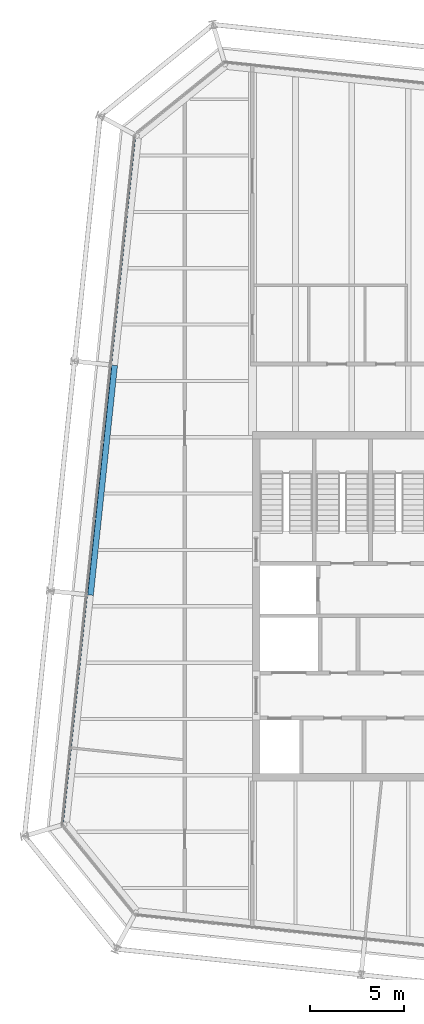
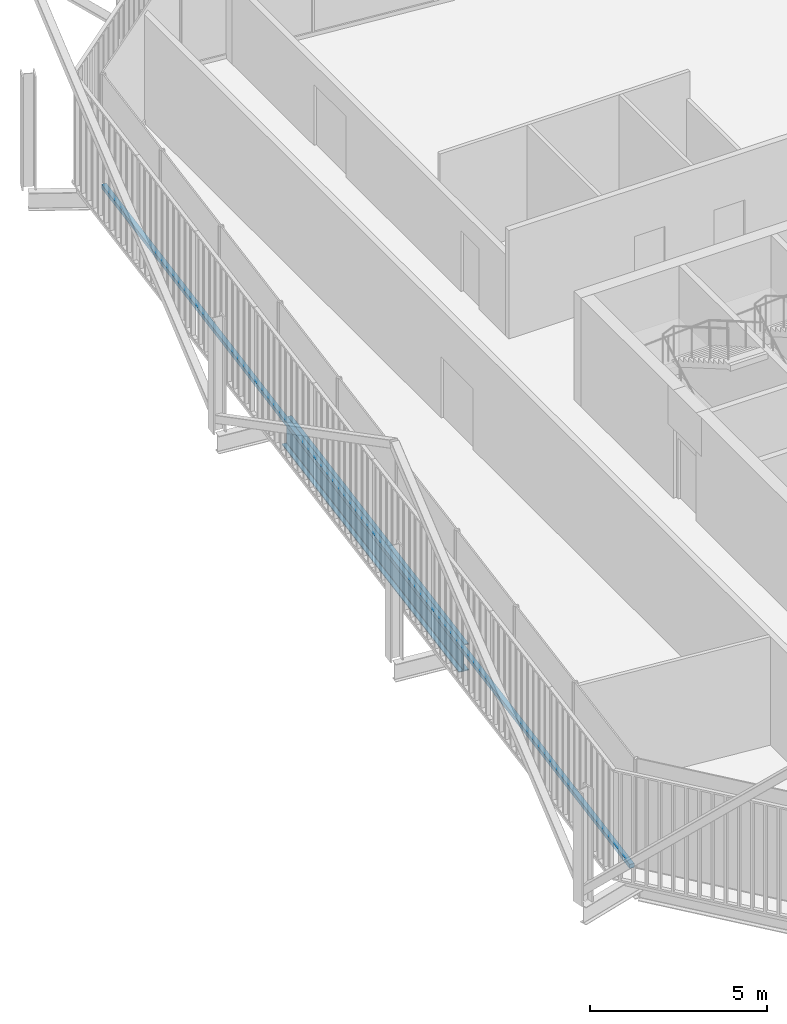
# One storey, part 7 of 21: 1 beam, 1 member, 1 element without a shape of its own.
"""IFC4 building model written with IfcOpenShell, lengths in metres."""

from ifc_helpers import new_model, si_unit, direction, frame, origin, origin_2d, place, context, subcontext, project, spatial, rectangle, i_section, extrude, material, layer, layer_set, material_profile, profile_set, type_object, element, aggregate, save


model = new_model("IFC4")

# Units and contexts
model_context = context("Model", 3, precision=1e-05, world=origin(), true_north=direction((0.0, 1.0)))
body_context = subcontext(model_context, "Body", "Model", "MODEL_VIEW")
ifc_project = project(units=[si_unit("LENGTHUNIT", "METRE"), si_unit("AREAUNIT", "SQUARE_METRE"), si_unit("VOLUMEUNIT", "CUBIC_METRE"), si_unit("PLANEANGLEUNIT", "RADIAN"), si_unit("MASSUNIT", "GRAM", prefix="KILO")], contexts=[model_context])

# Site, building, storey
site_placement = place(None, origin())
site = spatial("IfcSite", under=ifc_project, at=site_placement, CompositionType="ELEMENT")
building_placement = place(site_placement, origin())
building = spatial("IfcBuilding", under=site, at=building_placement, Name="Millrace Tower", CompositionType="ELEMENT")
storey_placement = place(building_placement, frame((0.0, 0.0, 291.60009765625)))
storey = spatial("IfcBuildingStorey", under=building, at=storey_placement, Name="L67", CompositionType="ELEMENT", Elevation=291.60009765625)

# Curtain wall, member
ifc_material_1 = material(Name="Aluminium and glass", Category="aluminium")
ifc_layer = layer(ifc_material_1, 0.14990234375)
ifc_layer_set = layer_set([ifc_layer], Name="Aluminium and glass")
curtain_wall_type = type_object("IfcCurtainWallType", Name="CW-1 office vision curtain wall", PredefinedType="NOTDEFINED", material=ifc_layer_set)
curtain_wall_placement = place(storey_placement, origin())
curtain_wall = element("IfcCurtainWall", 1, at=curtain_wall_placement, inside=storey, type_object=curtain_wall_type, Name="Curtain wall E-F08 L67", PredefinedType="NOTDEFINED")
ifc_material_2 = material(Name="Aluminium", Category="aluminium")
ifc_material_profile_1 = material_profile(ifc_material_2, rectangle(XDim=0.14990234375, YDim=0.139892578125, at=origin_2d()))
ifc_profile_set_1 = profile_set([ifc_material_profile_1], Name="Aluminium")
member_type = type_object("IfcMemberType", Name="CW-1 office vision curtain wall transom", PredefinedType="USERDEFINED", material=ifc_profile_set_1)
member_placement = place(storey_placement, frame((-20.581787109375, 24.9853515625, 0.06982421875), z_axis=(-0.104527916025, -0.994521952886, 0.0), x_axis=(0.994521952886, -0.104527916025, 0.0)))
member = element("IfcMember", 2, at=member_placement, type_object=member_type, Name="CW1 transom E-F08.1", ObjectType="TRANSOM", PredefinedType="USERDEFINED", context=body_context, shape_type="SweptSolid", body=[
    extrude(rectangle(XDim=0.14990234375, YDim=0.139892578125, at=origin_2d()), origin(), (0.0, 0.0, 1.0), 36.699951171875),
])
aggregate(curtain_wall, [member])

# Beam
ifc_material_3 = material(Name="Steel ASTM A992 Grade 50", Category="steel")
ifc_material_profile_2 = material_profile(ifc_material_3, i_section(OverallWidth=0.307373046875, OverallDepth=0.927001953125, WebThickness=0.01953125, FlangeThickness=0.031982421875, FilletRadius=0.01904296875, at=origin_2d()))
ifc_profile_set_2 = profile_set([ifc_material_profile_2], Name="Steel ASTM A992 Grade 50")
beam_type = type_object("IfcBeamType", Name="Ring beam medium span W36x194", PredefinedType="SPANDREL", material=ifc_profile_set_2)
beam_placement = place(storey_placement, frame((-22.915283203125, 0.595703125, -0.62353515625), z_axis=(0.104523600289, 0.994522406476, 0.0), x_axis=(-0.994522406476, 0.104523600289, 0.0)))
element("IfcBeam", 3, at=beam_placement, inside=storey, type_object=beam_type, Name="RNG-E-L67-S1-02", PredefinedType="SPANDREL", context=body_context, shape_type="SweptSolid", body=[
    extrude(i_section(OverallWidth=0.307373046875, OverallDepth=0.927001953125, WebThickness=0.01953125, FlangeThickness=0.031982421875, FilletRadius=0.01904296875, at=origin_2d()), origin(), (0.0, 0.0, 1.0), 12.300048828125),
])

save(model, "model.ifc")
